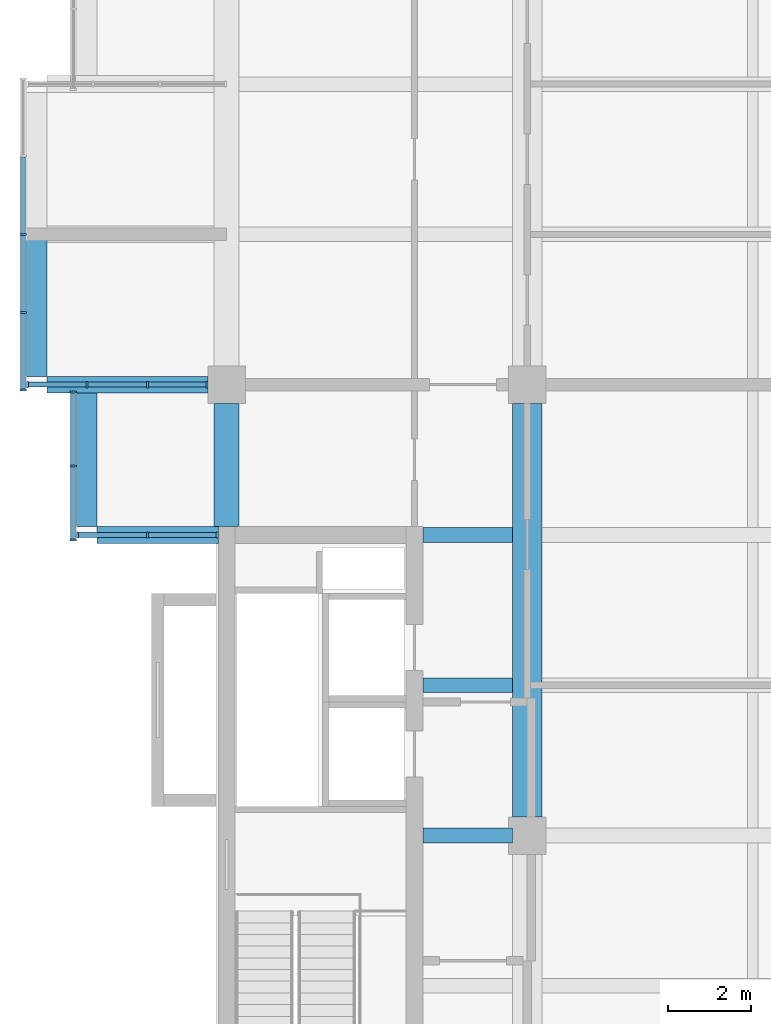
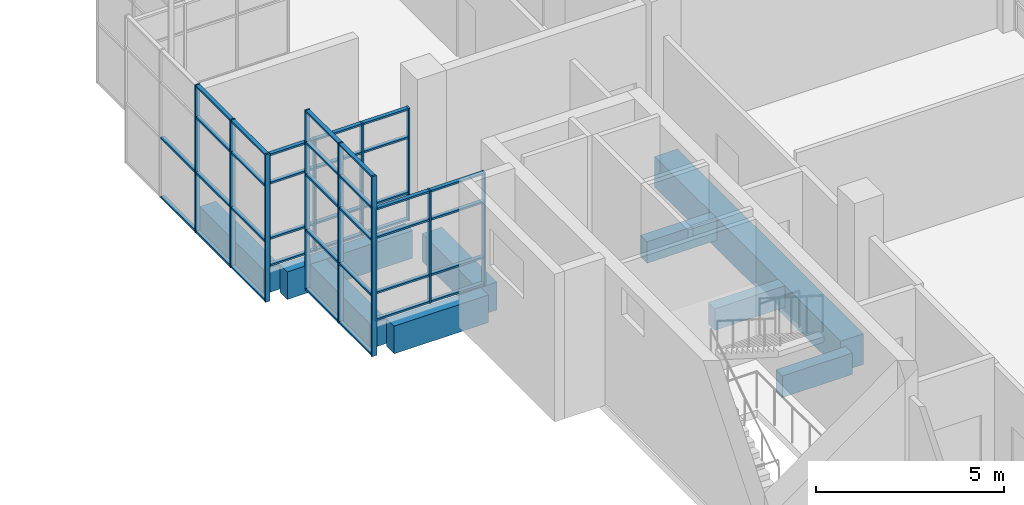
# One storey, part 5 of 15: 53 members, 9 beams, 4 elements without a shape of their own.
"""IFC4 building model written with IfcOpenShell, lengths in metres."""

from ifc_helpers import new_model, si_unit, direction, frame, origin, origin_2d, place, context, subcontext, project, spatial, rectangle, extrude, material, layer, layer_set, material_profile, profile_set, type_object, element, aggregate, save


model = new_model("IFC4")

# Units and contexts
model_context = context("Model", 3, precision=1e-05, world=origin(), true_north=direction((0.0, 1.0)))
body_context = subcontext(model_context, "Body", "Model", "MODEL_VIEW")
ifc_project = project(units=[si_unit("LENGTHUNIT", "METRE"), si_unit("AREAUNIT", "SQUARE_METRE"), si_unit("VOLUMEUNIT", "CUBIC_METRE"), si_unit("PLANEANGLEUNIT", "RADIAN"), si_unit("MASSUNIT", "GRAM", prefix="KILO")], contexts=[model_context])

# Site, building, storey
site_placement = place(None, origin())
site = spatial("IfcSite", under=ifc_project, at=site_placement, CompositionType="ELEMENT")
building_placement = place(site_placement, origin())
building = spatial("IfcBuilding", under=site, at=building_placement, Name="Basin Gate Institute", CompositionType="ELEMENT")
storey_placement = place(building_placement, frame((0.0, 0.0, 55.800048828125)))
storey = spatial("IfcBuildingStorey", under=building, at=storey_placement, Name="L11", CompositionType="ELEMENT", Elevation=55.800048828125)

# Beams
ifc_material_1 = material(Name="Concrete 40 MPa", Category="concrete")
ifc_material_profile_1 = material_profile(ifc_material_1, rectangle(XDim=0.35009765625, YDim=0.699951171875, at=origin_2d()), Name="Beam B1 350 x 700")
ifc_profile_set_1 = profile_set([ifc_material_profile_1], Name="Concrete 40 MPa")
beam_type_1 = type_object("IfcBeamType", Name="Beam B1 R120", PredefinedType="BEAM", material=ifc_profile_set_1)
for number, where, z_axis, x_axis, name in (
    (1, (65.89990234375, 67.5, -0.60009765625), (1.0, 0.0, 0.0), (0.0, 1.0, 0.0), "BEAM/L11/W/CORR/10"),
    (2, (65.89990234375, 71.10009765625, -0.60009765625), (1.0, 0.0, 0.0), (0.0, 1.0, 0.0), "BEAM/L11/W/CORR/11"),
    (3, (65.89990234375, 74.699951171875, -0.60009765625), (1.0, 0.0, 0.0), (0.0, 1.0, 0.0), "BEAM/L11/W/CORR/12"),
):
    element("IfcBeam", number, at=place(storey_placement, frame(where, z_axis=z_axis, x_axis=x_axis)), inside=storey, type_object=beam_type_1, material=ifc_profile_set_1, Name=name, PredefinedType="BEAM", context=body_context, shape_type="SweptSolid", body=[
        extrude(rectangle(XDim=0.35009765625, YDim=0.699951171875, at=origin_2d()), origin(), (0.0, 0.0, 1.0), 2.150146484375),
    ])
ifc_material_2 = material(Name="Concrete 50 MPa", Category="concrete")
ifc_material_profile_2 = material_profile(ifc_material_2, rectangle(XDim=0.39990234375, YDim=0.89990234375, at=origin_2d()), Name="Cantilever beam B3 400 x 900")
ifc_profile_set_2 = profile_set([ifc_material_profile_2], Name="Concrete 50 MPa")
beam_type_2 = type_object("IfcBeamType", Name="Cantilever beam B3 R120", PredefinedType="BEAM", material=ifc_profile_set_2)
beam_1_placement = place(storey_placement, frame((58.10009765625, 74.699951171875, -0.699951171875), z_axis=(1.0, 0.0, 0.0), x_axis=(0.0, 1.0, 0.0)))
element("IfcBeam", 4, at=beam_1_placement, inside=storey, type_object=beam_type_2, material=ifc_profile_set_2, Name="BEAM/L11/W/CANT/12", PredefinedType="BEAM", context=body_context, shape_type="SweptSolid", body=[
    extrude(rectangle(XDim=0.39990234375, YDim=0.89990234375, at=origin_2d()), origin(), (0.0, 0.0, 1.0), 2.89990234375),
])
beam_2_placement = place(storey_placement, frame((56.89990234375, 78.300048828125, -0.699951171875), z_axis=(1.0, 0.0, 0.0), x_axis=(0.0, 1.0, 0.0)))
element("IfcBeam", 5, at=beam_2_placement, inside=storey, type_object=beam_type_2, material=ifc_profile_set_2, Name="BEAM/L11/W/CANT/13", PredefinedType="BEAM", context=body_context, shape_type="SweptSolid", body=[
    extrude(rectangle(XDim=0.39990234375, YDim=0.89990234375, at=origin_2d()), origin(), (0.0, 0.0, 1.0), 3.85009765625),
])
ifc_material_3 = material(Name="Concrete 50 MPa", Category="concrete")
ifc_material_profile_3 = material_profile(ifc_material_3, rectangle(XDim=0.60009765625, YDim=0.89990234375, at=origin_2d()), Name="Edge return beam EB3 600 x 900")
ifc_profile_set_3 = profile_set([ifc_material_profile_3], Name="Concrete 50 MPa")
beam_type_3 = type_object("IfcBeamType", Name="Edge return beam EB3 R120", PredefinedType="SPANDREL", material=ifc_profile_set_3)
beam_3_placement = place(storey_placement, frame((61.199951171875, 74.89990234375, -0.699951171875), z_axis=(0.0, 1.0, 0.0), x_axis=(-1.0, 0.0, 0.0)))
element("IfcBeam", 6, at=beam_3_placement, inside=storey, type_object=beam_type_3, material=ifc_profile_set_3, Name="BEAM/L11/W/EDGE/3", PredefinedType="SPANDREL", context=body_context, shape_type="SweptSolid", body=[
    extrude(rectangle(XDim=0.60009765625, YDim=0.89990234375, at=origin_2d()), origin(), (0.0, 0.0, 1.0), 2.9501953125),
])
ifc_material_4 = material(Name="Concrete 50 MPa", Category="concrete")
ifc_material_profile_4 = material_profile(ifc_material_4, rectangle(XDim=0.699951171875, YDim=1.0, at=origin_2d()), Name="Girder G1 700 x 1000")
ifc_profile_set_4 = profile_set([ifc_material_profile_4], Name="Concrete 50 MPa")
beam_type_4 = type_object("IfcBeamType", Name="Girder G1 R120", PredefinedType="BEAM", material=ifc_profile_set_4)
beam_4_placement = place(storey_placement, frame((68.39990234375, 67.949951171875, -0.75), z_axis=(0.0, 1.0, 0.0), x_axis=(-1.0, 0.0, 0.0)))
element("IfcBeam", 7, at=beam_4_placement, inside=storey, type_object=beam_type_4, material=ifc_profile_set_4, Name="GIR/L11/W5/4", PredefinedType="BEAM", context=body_context, shape_type="SweptSolid", body=[
    extrude(rectangle(XDim=0.699951171875, YDim=1.0, at=origin_2d()), origin(), (0.0, 0.0, 1.0), 9.900146484375),
])

# Curtain wall, members
ifc_material_5 = material(Name="Aluminium-framed glazing", Category="aluminium")
ifc_layer = layer(ifc_material_5, 0.14990234375)
ifc_layer_set = layer_set([ifc_layer], Name="Capsule front curtain wall CW1")
curtain_wall_type = type_object("IfcCurtainWallType", Name="Capsule front curtain wall CW1", PredefinedType="NOTDEFINED", material=ifc_layer_set)
curtain_wall_1_placement = place(storey_placement, origin())
curtain_wall_1 = element("IfcCurtainWall", 8, at=curtain_wall_1_placement, inside=storey, type_object=curtain_wall_type, material=ifc_layer_set, Name="Capsule front curtain wall W wing capsule end L11 line 12", PredefinedType="NOTDEFINED")
ifc_material_6 = material(Name="Aluminium", Category="aluminium")
ifc_material_profile_5 = material_profile(ifc_material_6, rectangle(XDim=0.14990234375, YDim=0.050048828125, at=origin_2d()), Name="Mullion MU1 150 x 50")
ifc_profile_set_5 = profile_set([ifc_material_profile_5], Name="Aluminium")
member_type_1 = type_object("IfcMemberType", Name="Mullion MU1", PredefinedType="MULLION", material=ifc_profile_set_5)
member_1_placement = place(storey_placement, frame((57.625, 74.699951171875, 0.0), z_axis=(0.0, 0.0, 1.0), x_axis=(0.0, 1.0, 0.0)))
member_1 = element("IfcMember", 9, at=member_1_placement, type_object=member_type_1, material=ifc_profile_set_5, Name="CW1 mullion 1", PredefinedType="MULLION", context=body_context, shape_type="SweptSolid", body=[
    extrude(rectangle(XDim=0.14990234375, YDim=0.050048828125, at=origin_2d()), origin(), (0.0, 0.0, 1.0), 3.64990234375),
])
member_2_placement = place(storey_placement, frame((59.300048828125, 74.699951171875, 0.0), z_axis=(0.0, 0.0, 1.0), x_axis=(0.0, 1.0, 0.0)))
member_2 = element("IfcMember", 10, at=member_2_placement, type_object=member_type_1, material=ifc_profile_set_5, Name="CW1 mullion 2", PredefinedType="MULLION", context=body_context, shape_type="SweptSolid", body=[
    extrude(rectangle(XDim=0.14990234375, YDim=0.050048828125, at=origin_2d()), origin(), (0.0, 0.0, 1.0), 3.64990234375),
])
member_3_placement = place(storey_placement, frame((60.97509765625, 74.699951171875, 0.0), z_axis=(0.0, 0.0, 1.0), x_axis=(0.0, 1.0, 0.0)))
member_3 = element("IfcMember", 11, at=member_3_placement, type_object=member_type_1, material=ifc_profile_set_5, Name="CW1 mullion 3", PredefinedType="MULLION", context=body_context, shape_type="SweptSolid", body=[
    extrude(rectangle(XDim=0.14990234375, YDim=0.050048828125, at=origin_2d()), origin(), (0.0, 0.0, 1.0), 3.64990234375),
])

curtain_wall_2_placement = place(storey_placement, origin())
curtain_wall_2 = element("IfcCurtainWall", 12, at=curtain_wall_2_placement, inside=storey, type_object=curtain_wall_type, material=ifc_layer_set, Name="Capsule front curtain wall W wing capsule end L11 line 13", PredefinedType="NOTDEFINED")
member_4_placement = place(storey_placement, frame((56.425048828125, 78.300048828125, 0.0), z_axis=(0.0, 0.0, 1.0), x_axis=(0.0, 1.0, 0.0)))
member_4 = element("IfcMember", 13, at=member_4_placement, type_object=member_type_1, material=ifc_profile_set_5, Name="CW1 mullion 1", PredefinedType="MULLION", context=body_context, shape_type="SweptSolid", body=[
    extrude(rectangle(XDim=0.14990234375, YDim=0.050048828125, at=origin_2d()), origin(), (0.0, 0.0, 1.0), 3.64990234375),
])
member_5_placement = place(storey_placement, frame((57.85009765625, 78.300048828125, 0.0), z_axis=(0.0, 0.0, 1.0), x_axis=(0.0, 1.0, 0.0)))
member_5 = element("IfcMember", 14, at=member_5_placement, type_object=member_type_1, material=ifc_profile_set_5, Name="CW1 mullion 2", PredefinedType="MULLION", context=body_context, shape_type="SweptSolid", body=[
    extrude(rectangle(XDim=0.14990234375, YDim=0.050048828125, at=origin_2d()), origin(), (0.0, 0.0, 1.0), 3.64990234375),
])
member_6_placement = place(storey_placement, frame((59.300048828125, 78.300048828125, 0.0), z_axis=(0.0, 0.0, 1.0), x_axis=(0.0, 1.0, 0.0)))
member_6 = element("IfcMember", 15, at=member_6_placement, type_object=member_type_1, material=ifc_profile_set_5, Name="CW1 mullion 3", PredefinedType="MULLION", context=body_context, shape_type="SweptSolid", body=[
    extrude(rectangle(XDim=0.14990234375, YDim=0.050048828125, at=origin_2d()), origin(), (0.0, 0.0, 1.0), 3.64990234375),
])
member_7_placement = place(storey_placement, frame((60.72509765625, 78.300048828125, 0.0), z_axis=(0.0, 0.0, 1.0), x_axis=(0.0, 1.0, 0.0)))
member_7 = element("IfcMember", 16, at=member_7_placement, type_object=member_type_1, material=ifc_profile_set_5, Name="CW1 mullion 4", PredefinedType="MULLION", context=body_context, shape_type="SweptSolid", body=[
    extrude(rectangle(XDim=0.14990234375, YDim=0.050048828125, at=origin_2d()), origin(), (0.0, 0.0, 1.0), 3.64990234375),
])

curtain_wall_3_placement = place(storey_placement, origin())
curtain_wall_3 = element("IfcCurtainWall", 17, at=curtain_wall_3_placement, inside=storey, type_object=curtain_wall_type, material=ifc_layer_set, Name="Capsule front curtain wall W wing capsule 2 L11 front 1", PredefinedType="NOTDEFINED")
member_8_placement = place(storey_placement, frame((57.52490234375, 74.574951171875, -1.050048828125), z_axis=(0.0, 0.0, 1.0), x_axis=(-1.0, 0.0, 0.0)))
member_8 = element("IfcMember", 18, at=member_8_placement, type_object=member_type_1, material=ifc_profile_set_5, Name="CW1 mullion 1", PredefinedType="MULLION", context=body_context, shape_type="SweptSolid", body=[
    extrude(rectangle(XDim=0.14990234375, YDim=0.050048828125, at=origin_2d()), origin(), (0.0, 0.0, 1.0), 5.85009765625),
])
member_9_placement = place(storey_placement, frame((57.52490234375, 76.35009765625, -1.050048828125), z_axis=(0.0, 0.0, 1.0), x_axis=(-1.0, 0.0, 0.0)))
member_9 = element("IfcMember", 19, at=member_9_placement, type_object=member_type_1, material=ifc_profile_set_5, Name="CW1 mullion 2", PredefinedType="MULLION", context=body_context, shape_type="SweptSolid", body=[
    extrude(rectangle(XDim=0.14990234375, YDim=0.050048828125, at=origin_2d()), origin(), (0.0, 0.0, 1.0), 5.85009765625),
])
member_10_placement = place(storey_placement, frame((57.52490234375, 78.125, -1.050048828125), z_axis=(0.0, 0.0, 1.0), x_axis=(-1.0, 0.0, 0.0)))
member_10 = element("IfcMember", 20, at=member_10_placement, type_object=member_type_1, material=ifc_profile_set_5, Name="CW1 mullion 3", PredefinedType="MULLION", context=body_context, shape_type="SweptSolid", body=[
    extrude(rectangle(XDim=0.14990234375, YDim=0.050048828125, at=origin_2d()), origin(), (0.0, 0.0, 1.0), 5.85009765625),
])

curtain_wall_4_placement = place(storey_placement, origin())
curtain_wall_4 = element("IfcCurtainWall", 21, at=curtain_wall_4_placement, inside=storey, type_object=curtain_wall_type, material=ifc_layer_set, Name="Capsule front curtain wall W wing capsule 2 L11 front 2", PredefinedType="NOTDEFINED")
member_11_placement = place(storey_placement, frame((56.324951171875, 78.175048828125, -1.050048828125), z_axis=(0.0, 0.0, 1.0), x_axis=(-1.0, 0.0, 0.0)))
member_11 = element("IfcMember", 22, at=member_11_placement, type_object=member_type_1, material=ifc_profile_set_5, Name="CW1 mullion 1", PredefinedType="MULLION", context=body_context, shape_type="SweptSolid", body=[
    extrude(rectangle(XDim=0.14990234375, YDim=0.050048828125, at=origin_2d()), origin(), (0.0, 0.0, 1.0), 4.800048828125),
])
member_12_placement = place(storey_placement, frame((56.324951171875, 80.02490234375, -1.050048828125), z_axis=(0.0, 0.0, 1.0), x_axis=(-1.0, 0.0, 0.0)))
member_12 = element("IfcMember", 23, at=member_12_placement, type_object=member_type_1, material=ifc_profile_set_5, Name="CW1 mullion 2", PredefinedType="MULLION", context=body_context, shape_type="SweptSolid", body=[
    extrude(rectangle(XDim=0.14990234375, YDim=0.050048828125, at=origin_2d()), origin(), (0.0, 0.0, 1.0), 4.800048828125),
])
member_13_placement = place(storey_placement, frame((56.324951171875, 81.89990234375, -1.050048828125), z_axis=(0.0, 0.0, 1.0), x_axis=(-1.0, 0.0, 0.0)))
member_13 = element("IfcMember", 24, at=member_13_placement, type_object=member_type_1, material=ifc_profile_set_5, Name="CW1 mullion 3", PredefinedType="MULLION", context=body_context, shape_type="SweptSolid", body=[
    extrude(rectangle(XDim=0.14990234375, YDim=0.050048828125, at=origin_2d()), origin(), (0.0, 0.0, 1.0), 4.800048828125),
])

# Beams
ifc_material_7 = material(Name="Concrete 50 MPa", Category="concrete")
ifc_material_profile_6 = material_profile(ifc_material_7, rectangle(XDim=0.5, YDim=0.800048828125, at=origin_2d()), Name="Tip beam TB1 500 x 800")
ifc_profile_set_6 = profile_set([ifc_material_profile_6], Name="Concrete 50 MPa")
beam_type_5 = type_object("IfcBeamType", Name="Tip beam TB1 R120", PredefinedType="SPANDREL", material=ifc_profile_set_6)
beam_5_placement = place(storey_placement, frame((57.85009765625, 74.89990234375, -0.650146484375), z_axis=(0.0, 1.0, 0.0), x_axis=(-1.0, 0.0, 0.0)))
element("IfcBeam", 25, at=beam_5_placement, inside=storey, type_object=beam_type_5, material=ifc_profile_set_6, Name="BEAM/L11/W/TIP/5", PredefinedType="SPANDREL", context=body_context, shape_type="SweptSolid", body=[
    extrude(rectangle(XDim=0.5, YDim=0.800048828125, at=origin_2d()), origin(), (0.0, 0.0, 1.0), 3.2001953125),
])
beam_6_placement = place(storey_placement, frame((56.64990234375, 78.5, -0.650146484375), z_axis=(0.0, 1.0, 0.0), x_axis=(-1.0, 0.0, 0.0)))
element("IfcBeam", 26, at=beam_6_placement, inside=storey, type_object=beam_type_5, material=ifc_profile_set_6, Name="BEAM/L11/W/TIP/6", PredefinedType="SPANDREL", context=body_context, shape_type="SweptSolid", body=[
    extrude(rectangle(XDim=0.5, YDim=0.800048828125, at=origin_2d()), origin(), (0.0, 0.0, 1.0), 3.39990234375),
])

# Member
ifc_material_8 = material(Name="Aluminium", Category="aluminium")
ifc_material_profile_7 = material_profile(ifc_material_8, rectangle(XDim=0.1201171875, YDim=0.06005859375, at=origin_2d()), Name="Transom TR1 120 x 60")
ifc_profile_set_7 = profile_set([ifc_material_profile_7], Name="Aluminium")
member_type_2 = type_object("IfcMemberType", Name="Transom TR1", PredefinedType="USERDEFINED", material=ifc_profile_set_7)
member_14_placement = place(storey_placement, frame((57.64990234375, 74.699951171875, 0.030029296875), z_axis=(1.0, 0.0, 0.0), x_axis=(0.0, 1.0, 0.0)))
member_14 = element("IfcMember", 27, at=member_14_placement, type_object=member_type_2, material=ifc_profile_set_7, Name="CW1 transom 1.1", ObjectType="TRANSOM", PredefinedType="USERDEFINED", context=body_context, shape_type="SweptSolid", body=[
    extrude(rectangle(XDim=0.1201171875, YDim=0.06005859375, at=origin_2d()), origin(), (0.0, 0.0, 1.0), 1.625),
])

member_15_placement = place(storey_placement, frame((57.64990234375, 74.699951171875, 0.89990234375), z_axis=(1.0, 0.0, 0.0), x_axis=(0.0, 1.0, 0.0)))
member_15 = element("IfcMember", 28, at=member_15_placement, type_object=member_type_2, material=ifc_profile_set_7, Name="CW1 transom 1.2", ObjectType="TRANSOM", PredefinedType="USERDEFINED", context=body_context, shape_type="SweptSolid", body=[
    extrude(rectangle(XDim=0.1201171875, YDim=0.06005859375, at=origin_2d()), origin(), (0.0, 0.0, 1.0), 1.625),
])

member_16_placement = place(storey_placement, frame((57.64990234375, 74.699951171875, 2.699951171875), z_axis=(1.0, 0.0, 0.0), x_axis=(0.0, 1.0, 0.0)))
member_16 = element("IfcMember", 29, at=member_16_placement, type_object=member_type_2, material=ifc_profile_set_7, Name="CW1 transom 1.3", ObjectType="TRANSOM", PredefinedType="USERDEFINED", context=body_context, shape_type="SweptSolid", body=[
    extrude(rectangle(XDim=0.1201171875, YDim=0.06005859375, at=origin_2d()), origin(), (0.0, 0.0, 1.0), 1.625),
])

member_17_placement = place(storey_placement, frame((57.64990234375, 74.699951171875, 3.619873046875), z_axis=(1.0, 0.0, 0.0), x_axis=(0.0, 1.0, 0.0)))
member_17 = element("IfcMember", 30, at=member_17_placement, type_object=member_type_2, material=ifc_profile_set_7, Name="CW1 transom 1.4", ObjectType="TRANSOM", PredefinedType="USERDEFINED", context=body_context, shape_type="SweptSolid", body=[
    extrude(rectangle(XDim=0.1201171875, YDim=0.06005859375, at=origin_2d()), origin(), (0.0, 0.0, 1.0), 1.625),
])

member_18_placement = place(storey_placement, frame((59.324951171875, 74.699951171875, 0.030029296875), z_axis=(1.0, 0.0, 0.0), x_axis=(0.0, 1.0, 0.0)))
member_18 = element("IfcMember", 31, at=member_18_placement, type_object=member_type_2, material=ifc_profile_set_7, Name="CW1 transom 2.1", ObjectType="TRANSOM", PredefinedType="USERDEFINED", context=body_context, shape_type="SweptSolid", body=[
    extrude(rectangle(XDim=0.1201171875, YDim=0.06005859375, at=origin_2d()), origin(), (0.0, 0.0, 1.0), 1.625),
])

member_19_placement = place(storey_placement, frame((59.324951171875, 74.699951171875, 0.89990234375), z_axis=(1.0, 0.0, 0.0), x_axis=(0.0, 1.0, 0.0)))
member_19 = element("IfcMember", 32, at=member_19_placement, type_object=member_type_2, material=ifc_profile_set_7, Name="CW1 transom 2.2", ObjectType="TRANSOM", PredefinedType="USERDEFINED", context=body_context, shape_type="SweptSolid", body=[
    extrude(rectangle(XDim=0.1201171875, YDim=0.06005859375, at=origin_2d()), origin(), (0.0, 0.0, 1.0), 1.625),
])

member_20_placement = place(storey_placement, frame((59.324951171875, 74.699951171875, 2.699951171875), z_axis=(1.0, 0.0, 0.0), x_axis=(0.0, 1.0, 0.0)))
member_20 = element("IfcMember", 33, at=member_20_placement, type_object=member_type_2, material=ifc_profile_set_7, Name="CW1 transom 2.3", ObjectType="TRANSOM", PredefinedType="USERDEFINED", context=body_context, shape_type="SweptSolid", body=[
    extrude(rectangle(XDim=0.1201171875, YDim=0.06005859375, at=origin_2d()), origin(), (0.0, 0.0, 1.0), 1.625),
])

member_21_placement = place(storey_placement, frame((59.324951171875, 74.699951171875, 3.619873046875), z_axis=(1.0, 0.0, 0.0), x_axis=(0.0, 1.0, 0.0)))
member_21 = element("IfcMember", 34, at=member_21_placement, type_object=member_type_2, material=ifc_profile_set_7, Name="CW1 transom 2.4", ObjectType="TRANSOM", PredefinedType="USERDEFINED", context=body_context, shape_type="SweptSolid", body=[
    extrude(rectangle(XDim=0.1201171875, YDim=0.06005859375, at=origin_2d()), origin(), (0.0, 0.0, 1.0), 1.625),
])

aggregate(curtain_wall_1, [member_1, member_2, member_3, member_14, member_15, member_16, member_17, member_18, member_19, member_20, member_21])

member_22_placement = place(storey_placement, frame((56.449951171875, 78.300048828125, 0.030029296875), z_axis=(1.0, 0.0, 0.0), x_axis=(0.0, 1.0, 0.0)))
member_22 = element("IfcMember", 35, at=member_22_placement, type_object=member_type_2, material=ifc_profile_set_7, Name="CW1 transom 1.1", ObjectType="TRANSOM", PredefinedType="USERDEFINED", context=body_context, shape_type="SweptSolid", body=[
    extrude(rectangle(XDim=0.1201171875, YDim=0.06005859375, at=origin_2d()), origin(), (0.0, 0.0, 1.0), 1.375),
])

member_23_placement = place(storey_placement, frame((56.449951171875, 78.300048828125, 0.89990234375), z_axis=(1.0, 0.0, 0.0), x_axis=(0.0, 1.0, 0.0)))
member_23 = element("IfcMember", 36, at=member_23_placement, type_object=member_type_2, material=ifc_profile_set_7, Name="CW1 transom 1.2", ObjectType="TRANSOM", PredefinedType="USERDEFINED", context=body_context, shape_type="SweptSolid", body=[
    extrude(rectangle(XDim=0.1201171875, YDim=0.06005859375, at=origin_2d()), origin(), (0.0, 0.0, 1.0), 1.375),
])

member_24_placement = place(storey_placement, frame((56.449951171875, 78.300048828125, 2.699951171875), z_axis=(1.0, 0.0, 0.0), x_axis=(0.0, 1.0, 0.0)))
member_24 = element("IfcMember", 37, at=member_24_placement, type_object=member_type_2, material=ifc_profile_set_7, Name="CW1 transom 1.3", ObjectType="TRANSOM", PredefinedType="USERDEFINED", context=body_context, shape_type="SweptSolid", body=[
    extrude(rectangle(XDim=0.1201171875, YDim=0.06005859375, at=origin_2d()), origin(), (0.0, 0.0, 1.0), 1.375),
])

member_25_placement = place(storey_placement, frame((56.449951171875, 78.300048828125, 3.619873046875), z_axis=(1.0, 0.0, 0.0), x_axis=(0.0, 1.0, 0.0)))
member_25 = element("IfcMember", 38, at=member_25_placement, type_object=member_type_2, material=ifc_profile_set_7, Name="CW1 transom 1.4", ObjectType="TRANSOM", PredefinedType="USERDEFINED", context=body_context, shape_type="SweptSolid", body=[
    extrude(rectangle(XDim=0.1201171875, YDim=0.06005859375, at=origin_2d()), origin(), (0.0, 0.0, 1.0), 1.375),
])

member_26_placement = place(storey_placement, frame((57.875, 78.300048828125, 0.030029296875), z_axis=(1.0, 0.0, 0.0), x_axis=(0.0, 1.0, 0.0)))
member_26 = element("IfcMember", 39, at=member_26_placement, type_object=member_type_2, material=ifc_profile_set_7, Name="CW1 transom 2.1", ObjectType="TRANSOM", PredefinedType="USERDEFINED", context=body_context, shape_type="SweptSolid", body=[
    extrude(rectangle(XDim=0.1201171875, YDim=0.06005859375, at=origin_2d()), origin(), (0.0, 0.0, 1.0), 1.39990234375),
])

member_27_placement = place(storey_placement, frame((57.875, 78.300048828125, 0.89990234375), z_axis=(1.0, 0.0, 0.0), x_axis=(0.0, 1.0, 0.0)))
member_27 = element("IfcMember", 40, at=member_27_placement, type_object=member_type_2, material=ifc_profile_set_7, Name="CW1 transom 2.2", ObjectType="TRANSOM", PredefinedType="USERDEFINED", context=body_context, shape_type="SweptSolid", body=[
    extrude(rectangle(XDim=0.1201171875, YDim=0.06005859375, at=origin_2d()), origin(), (0.0, 0.0, 1.0), 1.39990234375),
])

member_28_placement = place(storey_placement, frame((57.875, 78.300048828125, 2.699951171875), z_axis=(1.0, 0.0, 0.0), x_axis=(0.0, 1.0, 0.0)))
member_28 = element("IfcMember", 41, at=member_28_placement, type_object=member_type_2, material=ifc_profile_set_7, Name="CW1 transom 2.3", ObjectType="TRANSOM", PredefinedType="USERDEFINED", context=body_context, shape_type="SweptSolid", body=[
    extrude(rectangle(XDim=0.1201171875, YDim=0.06005859375, at=origin_2d()), origin(), (0.0, 0.0, 1.0), 1.39990234375),
])

member_29_placement = place(storey_placement, frame((57.875, 78.300048828125, 3.619873046875), z_axis=(1.0, 0.0, 0.0), x_axis=(0.0, 1.0, 0.0)))
member_29 = element("IfcMember", 42, at=member_29_placement, type_object=member_type_2, material=ifc_profile_set_7, Name="CW1 transom 2.4", ObjectType="TRANSOM", PredefinedType="USERDEFINED", context=body_context, shape_type="SweptSolid", body=[
    extrude(rectangle(XDim=0.1201171875, YDim=0.06005859375, at=origin_2d()), origin(), (0.0, 0.0, 1.0), 1.39990234375),
])

member_30_placement = place(storey_placement, frame((59.324951171875, 78.300048828125, 0.030029296875), z_axis=(1.0, 0.0, 0.0), x_axis=(0.0, 1.0, 0.0)))
member_30 = element("IfcMember", 43, at=member_30_placement, type_object=member_type_2, material=ifc_profile_set_7, Name="CW1 transom 3.1", ObjectType="TRANSOM", PredefinedType="USERDEFINED", context=body_context, shape_type="SweptSolid", body=[
    extrude(rectangle(XDim=0.1201171875, YDim=0.06005859375, at=origin_2d()), origin(), (0.0, 0.0, 1.0), 1.375),
])

member_31_placement = place(storey_placement, frame((59.324951171875, 78.300048828125, 0.89990234375), z_axis=(1.0, 0.0, 0.0), x_axis=(0.0, 1.0, 0.0)))
member_31 = element("IfcMember", 44, at=member_31_placement, type_object=member_type_2, material=ifc_profile_set_7, Name="CW1 transom 3.2", ObjectType="TRANSOM", PredefinedType="USERDEFINED", context=body_context, shape_type="SweptSolid", body=[
    extrude(rectangle(XDim=0.1201171875, YDim=0.06005859375, at=origin_2d()), origin(), (0.0, 0.0, 1.0), 1.375),
])

member_32_placement = place(storey_placement, frame((59.324951171875, 78.300048828125, 2.699951171875), z_axis=(1.0, 0.0, 0.0), x_axis=(0.0, 1.0, 0.0)))
member_32 = element("IfcMember", 45, at=member_32_placement, type_object=member_type_2, material=ifc_profile_set_7, Name="CW1 transom 3.3", ObjectType="TRANSOM", PredefinedType="USERDEFINED", context=body_context, shape_type="SweptSolid", body=[
    extrude(rectangle(XDim=0.1201171875, YDim=0.06005859375, at=origin_2d()), origin(), (0.0, 0.0, 1.0), 1.375),
])

member_33_placement = place(storey_placement, frame((59.324951171875, 78.300048828125, 3.619873046875), z_axis=(1.0, 0.0, 0.0), x_axis=(0.0, 1.0, 0.0)))
member_33 = element("IfcMember", 46, at=member_33_placement, type_object=member_type_2, material=ifc_profile_set_7, Name="CW1 transom 3.4", ObjectType="TRANSOM", PredefinedType="USERDEFINED", context=body_context, shape_type="SweptSolid", body=[
    extrude(rectangle(XDim=0.1201171875, YDim=0.06005859375, at=origin_2d()), origin(), (0.0, 0.0, 1.0), 1.375),
])

aggregate(curtain_wall_2, [member_4, member_5, member_6, member_7, member_22, member_23, member_24, member_25, member_26, member_27, member_28, member_29, member_30, member_31, member_32, member_33])

member_34_placement = place(storey_placement, frame((57.52490234375, 74.60009765625, -1.02001953125), z_axis=(0.0, 1.0, 0.0), x_axis=(-1.0, 0.0, 0.0)))
member_34 = element("IfcMember", 47, at=member_34_placement, type_object=member_type_2, material=ifc_profile_set_7, Name="CW1 transom 1.1", ObjectType="TRANSOM", PredefinedType="USERDEFINED", context=body_context, shape_type="SweptSolid", body=[
    extrude(rectangle(XDim=0.1201171875, YDim=0.06005859375, at=origin_2d()), origin(), (0.0, 0.0, 1.0), 1.724853515625),
])

member_35_placement = place(storey_placement, frame((57.52490234375, 74.60009765625, 0.89990234375), z_axis=(0.0, 1.0, 0.0), x_axis=(-1.0, 0.0, 0.0)))
member_35 = element("IfcMember", 48, at=member_35_placement, type_object=member_type_2, material=ifc_profile_set_7, Name="CW1 transom 1.2", ObjectType="TRANSOM", PredefinedType="USERDEFINED", context=body_context, shape_type="SweptSolid", body=[
    extrude(rectangle(XDim=0.1201171875, YDim=0.06005859375, at=origin_2d()), origin(), (0.0, 0.0, 1.0), 1.724853515625),
])

member_36_placement = place(storey_placement, frame((57.52490234375, 74.60009765625, 2.699951171875), z_axis=(0.0, 1.0, 0.0), x_axis=(-1.0, 0.0, 0.0)))
member_36 = element("IfcMember", 49, at=member_36_placement, type_object=member_type_2, material=ifc_profile_set_7, Name="CW1 transom 1.3", ObjectType="TRANSOM", PredefinedType="USERDEFINED", context=body_context, shape_type="SweptSolid", body=[
    extrude(rectangle(XDim=0.1201171875, YDim=0.06005859375, at=origin_2d()), origin(), (0.0, 0.0, 1.0), 1.724853515625),
])

member_37_placement = place(storey_placement, frame((57.52490234375, 74.60009765625, 3.75), z_axis=(0.0, 1.0, 0.0), x_axis=(-1.0, 0.0, 0.0)))
member_37 = element("IfcMember", 50, at=member_37_placement, type_object=member_type_2, material=ifc_profile_set_7, Name="CW1 transom 1.4", ObjectType="TRANSOM", PredefinedType="USERDEFINED", context=body_context, shape_type="SweptSolid", body=[
    extrude(rectangle(XDim=0.1201171875, YDim=0.06005859375, at=origin_2d()), origin(), (0.0, 0.0, 1.0), 1.724853515625),
])

member_38_placement = place(storey_placement, frame((57.52490234375, 74.60009765625, 4.77001953125), z_axis=(0.0, 1.0, 0.0), x_axis=(-1.0, 0.0, 0.0)))
member_38 = element("IfcMember", 51, at=member_38_placement, type_object=member_type_2, material=ifc_profile_set_7, Name="CW1 transom 1.5", ObjectType="TRANSOM", PredefinedType="USERDEFINED", context=body_context, shape_type="SweptSolid", body=[
    extrude(rectangle(XDim=0.1201171875, YDim=0.06005859375, at=origin_2d()), origin(), (0.0, 0.0, 1.0), 1.724853515625),
])

member_39_placement = place(storey_placement, frame((57.52490234375, 76.375, -1.02001953125), z_axis=(0.0, 1.0, 0.0), x_axis=(-1.0, 0.0, 0.0)))
member_39 = element("IfcMember", 52, at=member_39_placement, type_object=member_type_2, material=ifc_profile_set_7, Name="CW1 transom 2.1", ObjectType="TRANSOM", PredefinedType="USERDEFINED", context=body_context, shape_type="SweptSolid", body=[
    extrude(rectangle(XDim=0.1201171875, YDim=0.06005859375, at=origin_2d()), origin(), (0.0, 0.0, 1.0), 1.72509765625),
])

member_40_placement = place(storey_placement, frame((57.52490234375, 76.375, 0.89990234375), z_axis=(0.0, 1.0, 0.0), x_axis=(-1.0, 0.0, 0.0)))
member_40 = element("IfcMember", 53, at=member_40_placement, type_object=member_type_2, material=ifc_profile_set_7, Name="CW1 transom 2.2", ObjectType="TRANSOM", PredefinedType="USERDEFINED", context=body_context, shape_type="SweptSolid", body=[
    extrude(rectangle(XDim=0.1201171875, YDim=0.06005859375, at=origin_2d()), origin(), (0.0, 0.0, 1.0), 1.72509765625),
])

member_41_placement = place(storey_placement, frame((57.52490234375, 76.375, 2.699951171875), z_axis=(0.0, 1.0, 0.0), x_axis=(-1.0, 0.0, 0.0)))
member_41 = element("IfcMember", 54, at=member_41_placement, type_object=member_type_2, material=ifc_profile_set_7, Name="CW1 transom 2.3", ObjectType="TRANSOM", PredefinedType="USERDEFINED", context=body_context, shape_type="SweptSolid", body=[
    extrude(rectangle(XDim=0.1201171875, YDim=0.06005859375, at=origin_2d()), origin(), (0.0, 0.0, 1.0), 1.72509765625),
])

member_42_placement = place(storey_placement, frame((57.52490234375, 76.375, 3.75), z_axis=(0.0, 1.0, 0.0), x_axis=(-1.0, 0.0, 0.0)))
member_42 = element("IfcMember", 55, at=member_42_placement, type_object=member_type_2, material=ifc_profile_set_7, Name="CW1 transom 2.4", ObjectType="TRANSOM", PredefinedType="USERDEFINED", context=body_context, shape_type="SweptSolid", body=[
    extrude(rectangle(XDim=0.1201171875, YDim=0.06005859375, at=origin_2d()), origin(), (0.0, 0.0, 1.0), 1.72509765625),
])

member_43_placement = place(storey_placement, frame((57.52490234375, 76.375, 4.77001953125), z_axis=(0.0, 1.0, 0.0), x_axis=(-1.0, 0.0, 0.0)))
member_43 = element("IfcMember", 56, at=member_43_placement, type_object=member_type_2, material=ifc_profile_set_7, Name="CW1 transom 2.5", ObjectType="TRANSOM", PredefinedType="USERDEFINED", context=body_context, shape_type="SweptSolid", body=[
    extrude(rectangle(XDim=0.1201171875, YDim=0.06005859375, at=origin_2d()), origin(), (0.0, 0.0, 1.0), 1.72509765625),
])

aggregate(curtain_wall_3, [member_8, member_9, member_10, member_34, member_35, member_36, member_37, member_38, member_39, member_40, member_41, member_42, member_43])

member_44_placement = place(storey_placement, frame((56.324951171875, 78.199951171875, -1.02001953125), z_axis=(0.0, 1.0, 0.0), x_axis=(-1.0, 0.0, 0.0)))
member_44 = element("IfcMember", 57, at=member_44_placement, type_object=member_type_2, material=ifc_profile_set_7, Name="CW1 transom 1.1", ObjectType="TRANSOM", PredefinedType="USERDEFINED", context=body_context, shape_type="SweptSolid", body=[
    extrude(rectangle(XDim=0.1201171875, YDim=0.06005859375, at=origin_2d()), origin(), (0.0, 0.0, 1.0), 1.800048828125),
])

member_45_placement = place(storey_placement, frame((56.324951171875, 78.199951171875, 0.89990234375), z_axis=(0.0, 1.0, 0.0), x_axis=(-1.0, 0.0, 0.0)))
member_45 = element("IfcMember", 58, at=member_45_placement, type_object=member_type_2, material=ifc_profile_set_7, Name="CW1 transom 1.2", ObjectType="TRANSOM", PredefinedType="USERDEFINED", context=body_context, shape_type="SweptSolid", body=[
    extrude(rectangle(XDim=0.1201171875, YDim=0.06005859375, at=origin_2d()), origin(), (0.0, 0.0, 1.0), 1.800048828125),
])

member_46_placement = place(storey_placement, frame((56.324951171875, 78.199951171875, 2.699951171875), z_axis=(0.0, 1.0, 0.0), x_axis=(-1.0, 0.0, 0.0)))
member_46 = element("IfcMember", 59, at=member_46_placement, type_object=member_type_2, material=ifc_profile_set_7, Name="CW1 transom 1.3", ObjectType="TRANSOM", PredefinedType="USERDEFINED", context=body_context, shape_type="SweptSolid", body=[
    extrude(rectangle(XDim=0.1201171875, YDim=0.06005859375, at=origin_2d()), origin(), (0.0, 0.0, 1.0), 1.800048828125),
])

member_47_placement = place(storey_placement, frame((56.324951171875, 78.199951171875, 3.719970703125), z_axis=(0.0, 1.0, 0.0), x_axis=(-1.0, 0.0, 0.0)))
member_47 = element("IfcMember", 60, at=member_47_placement, type_object=member_type_2, material=ifc_profile_set_7, Name="CW1 transom 1.4", ObjectType="TRANSOM", PredefinedType="USERDEFINED", context=body_context, shape_type="SweptSolid", body=[
    extrude(rectangle(XDim=0.1201171875, YDim=0.06005859375, at=origin_2d()), origin(), (0.0, 0.0, 1.0), 1.800048828125),
])

member_48_placement = place(storey_placement, frame((56.324951171875, 80.050048828125, -1.02001953125), z_axis=(0.0, 1.0, 0.0), x_axis=(-1.0, 0.0, 0.0)))
member_48 = element("IfcMember", 61, at=member_48_placement, type_object=member_type_2, material=ifc_profile_set_7, Name="CW1 transom 2.1", ObjectType="TRANSOM", PredefinedType="USERDEFINED", context=body_context, shape_type="SweptSolid", body=[
    extrude(rectangle(XDim=0.1201171875, YDim=0.06005859375, at=origin_2d()), origin(), (0.0, 0.0, 1.0), 1.824951171875),
])

member_49_placement = place(storey_placement, frame((56.324951171875, 80.050048828125, 0.89990234375), z_axis=(0.0, 1.0, 0.0), x_axis=(-1.0, 0.0, 0.0)))
member_49 = element("IfcMember", 62, at=member_49_placement, type_object=member_type_2, material=ifc_profile_set_7, Name="CW1 transom 2.2", ObjectType="TRANSOM", PredefinedType="USERDEFINED", context=body_context, shape_type="SweptSolid", body=[
    extrude(rectangle(XDim=0.1201171875, YDim=0.06005859375, at=origin_2d()), origin(), (0.0, 0.0, 1.0), 1.824951171875),
])

member_50_placement = place(storey_placement, frame((56.324951171875, 80.050048828125, 2.699951171875), z_axis=(0.0, 1.0, 0.0), x_axis=(-1.0, 0.0, 0.0)))
member_50 = element("IfcMember", 63, at=member_50_placement, type_object=member_type_2, material=ifc_profile_set_7, Name="CW1 transom 2.3", ObjectType="TRANSOM", PredefinedType="USERDEFINED", context=body_context, shape_type="SweptSolid", body=[
    extrude(rectangle(XDim=0.1201171875, YDim=0.06005859375, at=origin_2d()), origin(), (0.0, 0.0, 1.0), 1.824951171875),
])

member_51_placement = place(storey_placement, frame((56.324951171875, 80.050048828125, 3.719970703125), z_axis=(0.0, 1.0, 0.0), x_axis=(-1.0, 0.0, 0.0)))
member_51 = element("IfcMember", 64, at=member_51_placement, type_object=member_type_2, material=ifc_profile_set_7, Name="CW1 transom 2.4", ObjectType="TRANSOM", PredefinedType="USERDEFINED", context=body_context, shape_type="SweptSolid", body=[
    extrude(rectangle(XDim=0.1201171875, YDim=0.06005859375, at=origin_2d()), origin(), (0.0, 0.0, 1.0), 1.824951171875),
])

member_52_placement = place(storey_placement, frame((56.324951171875, 81.925048828125, -1.02001953125), z_axis=(0.0, 1.0, 0.0), x_axis=(-1.0, 0.0, 0.0)))
member_52 = element("IfcMember", 65, at=member_52_placement, type_object=member_type_2, material=ifc_profile_set_7, Name="CW1 transom 3.1", ObjectType="TRANSOM", PredefinedType="USERDEFINED", context=body_context, shape_type="SweptSolid", body=[
    extrude(rectangle(XDim=0.1201171875, YDim=0.06005859375, at=origin_2d()), origin(), (0.0, 0.0, 1.0), 1.824951171875),
])

member_53_placement = place(storey_placement, frame((56.324951171875, 81.925048828125, 0.89990234375), z_axis=(0.0, 1.0, 0.0), x_axis=(-1.0, 0.0, 0.0)))
member_53 = element("IfcMember", 66, at=member_53_placement, type_object=member_type_2, material=ifc_profile_set_7, Name="CW1 transom 3.2", ObjectType="TRANSOM", PredefinedType="USERDEFINED", context=body_context, shape_type="SweptSolid", body=[
    extrude(rectangle(XDim=0.1201171875, YDim=0.06005859375, at=origin_2d()), origin(), (0.0, 0.0, 1.0), 1.824951171875),
])

aggregate(curtain_wall_4, [member_11, member_12, member_13, member_44, member_45, member_46, member_47, member_48, member_49, member_50, member_51, member_52, member_53])

save(model, "model.ifc")
